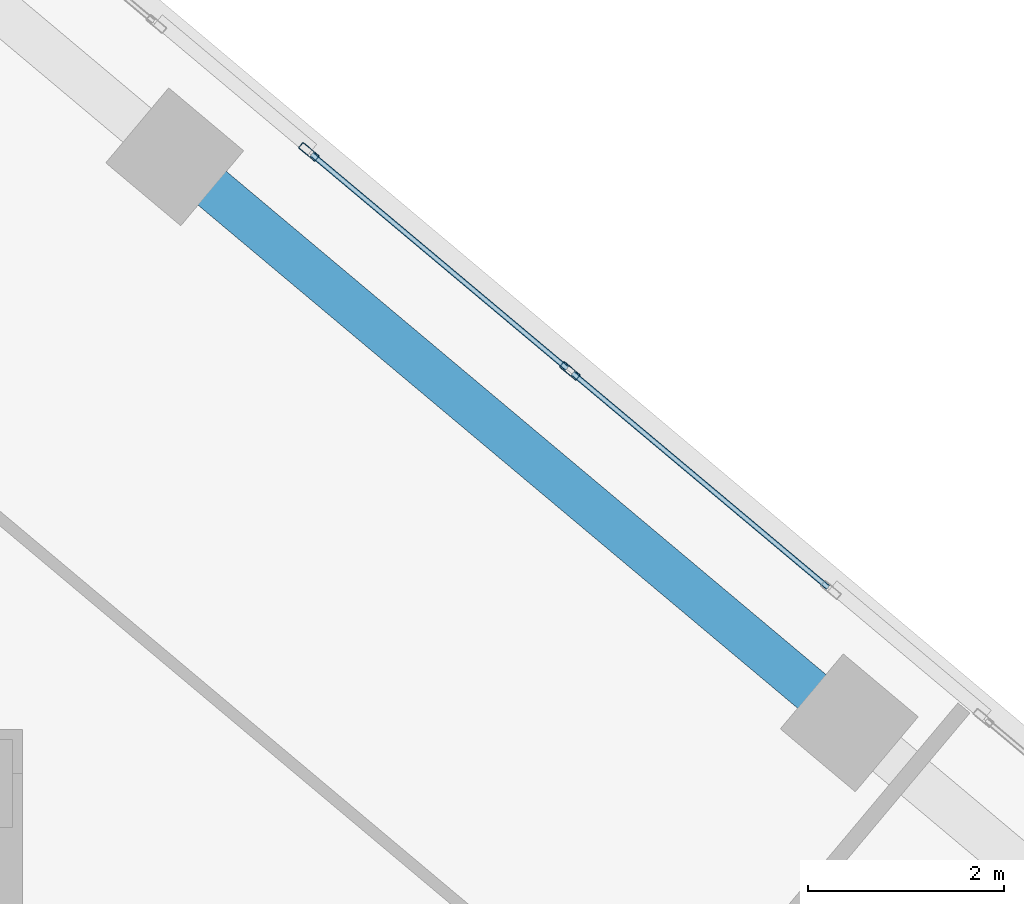
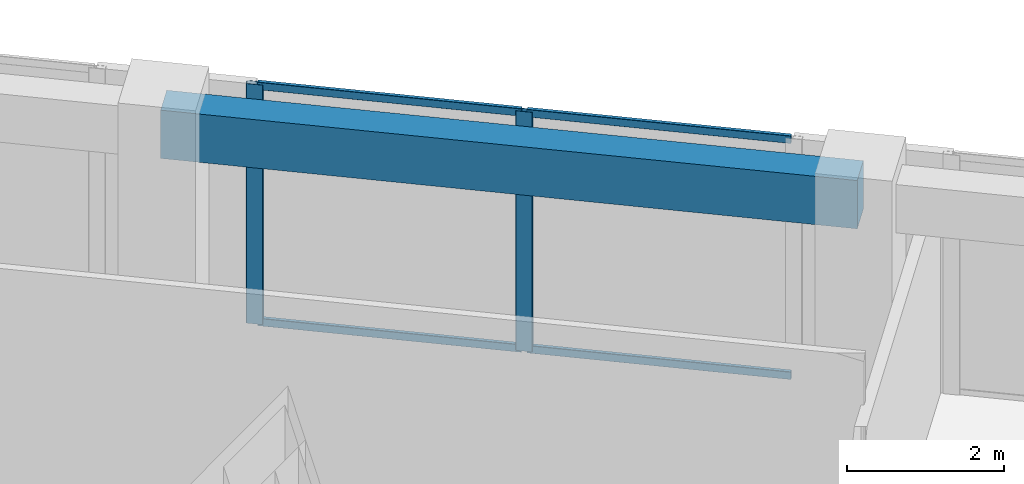
# One storey, part 10 of 17: 6 members, 1 beam, 1 element without a shape of its own.
"""IFC4 building model written with IfcOpenShell, lengths in metres."""

from ifc_helpers import new_model, si_unit, direction, frame, origin, origin_2d, place, context, subcontext, project, spatial, rectangle, hollow_rectangle, extrude, source, transform, mapped, material, material_profile, profile_set, type_object, element, aggregate, save


model = new_model("IFC4")

# Units and contexts
model_context = context("Model", 3, precision=1e-05, world=origin(), true_north=direction((0.0, 1.0)))
body_context = subcontext(model_context, "Body", "Model", "MODEL_VIEW")
ifc_project = project(units=[si_unit("LENGTHUNIT", "METRE"), si_unit("AREAUNIT", "SQUARE_METRE"), si_unit("VOLUMEUNIT", "CUBIC_METRE"), si_unit("PLANEANGLEUNIT", "RADIAN"), si_unit("MASSUNIT", "GRAM", prefix="KILO")], contexts=[model_context])

# Site, building, storey
site_placement = place(None, origin())
site = spatial("IfcSite", under=ifc_project, at=site_placement, CompositionType="ELEMENT")
building_placement = place(site_placement, origin())
building = spatial("IfcBuilding", under=site, at=building_placement, Name="Torre Montelarca", CompositionType="ELEMENT")
storey_placement = place(building_placement, frame((0.0, 0.0, 220.60009765625)))
storey = spatial("IfcBuildingStorey", under=building, at=storey_placement, Name="L49", CompositionType="ELEMENT", Elevation=220.60009765625)

# Beam
ifc_material_1 = material(Name="Concrete C55/67", Category="concrete")
ifc_material_profile_1 = material_profile(ifc_material_1, rectangle(XDim=0.449951171875, YDim=0.75, at=origin_2d()), Name="RCB450X750", Category="concrete")
ifc_profile_set_1 = profile_set([ifc_material_profile_1], Name="Concrete C55/67")
beam_type = type_object("IfcBeamType", Name="BM-SP-RC750-EXT", PredefinedType="SPANDREL", material=ifc_profile_set_1)
shared_shape_1 = source(origin(), body_context, "Body", "SweptSolid", [
    extrude(rectangle(XDim=0.449951171875, YDim=0.75, at=origin_2d()), origin(), (0.0, 0.0, 1.0), 8.999755859375),
])
beam_placement = place(storey_placement, frame((28.55712890625, 45.855224609375, 3.5849609375), z_axis=(0.766048911017, -0.642782285015, 0.0), x_axis=(0.642782285015, 0.766048911017, 0.0)))
element("IfcBeam", 1, at=beam_placement, inside=storey, type_object=beam_type, Name="L49 Grid Girder X 18.0-27.0 at Y=47.1", PredefinedType="SPANDREL", context=body_context, shape_type="MappedRepresentation", body=[
    mapped(shared_shape_1, transform((0.0, 0.0, 0.0), scale=1.0)),
])

# Curtain wall, members
ifc_material_2 = material(Name="Insulated low-E laminated glass", Category="glass")
curtain_wall_type = type_object("IfcCurtainWallType", Name="CW-SYS-Z3", PredefinedType="USERDEFINED", material=ifc_material_2)
curtain_wall_placement = place(storey_placement, origin())
curtain_wall = element("IfcCurtainWall", 2, at=curtain_wall_placement, inside=storey, type_object=curtain_wall_type, Name="L49 Curtain Wall Run CW-T3-L49-E08-B2", ObjectType="UNITISED GLAZING", PredefinedType="USERDEFINED")
ifc_material_3 = material(Name="Anodised aluminium AA 6063-T6", Category="aluminium")
ifc_material_profile_2 = material_profile(ifc_material_3, hollow_rectangle(XDim=0.054931640625, YDim=0.1201171875, WallThickness=0.00341796875, InnerFilletRadius=0.00341796875, OuterFilletRadius=0.007080078125, at=origin_2d()), Name="ALU55X120X3.5", Category="aluminium")
ifc_profile_set_2 = profile_set([ifc_material_profile_2], Name="Anodised aluminium AA 6063-T6")
member_type_1 = type_object("IfcMemberType", Name="CWT-ALU120", PredefinedType="USERDEFINED", material=ifc_profile_set_2)
shared_shape_2 = source(origin(), body_context, "Body", "SweptSolid", [
    extrude(hollow_rectangle(XDim=0.054931640625, YDim=0.1201171875, WallThickness=0.00341796875, InnerFilletRadius=0.00341796875, OuterFilletRadius=0.007080078125, at=origin_2d()), origin(), (0.0, 0.0, 1.0), 3.407470703125),
])
member_1_placement = place(storey_placement, frame((35.234619140625, 41.453125, 0.02734375), z_axis=(-0.766067489569, 0.642760142997, 0.0), x_axis=(-0.642760142997, -0.766067489569, 0.0)))
member_1 = element("IfcMember", 3, at=member_1_placement, type_object=member_type_1, Name="CW transom 1.1", ObjectType="TRANSOM", PredefinedType="USERDEFINED", context=body_context, shape_type="MappedRepresentation", body=[
    mapped(shared_shape_2, transform((0.0, 0.0, 0.0), scale=1.0)),
])
member_2_placement = place(storey_placement, frame((35.234619140625, 41.453125, 3.6923828125), z_axis=(-0.766067489569, 0.642760142997, 0.0), x_axis=(-0.642760142997, -0.766067489569, 0.0)))
member_2 = element("IfcMember", 4, at=member_2_placement, type_object=member_type_1, Name="CW transom 1.2", ObjectType="TRANSOM", PredefinedType="USERDEFINED", context=body_context, shape_type="MappedRepresentation", body=[
    mapped(shared_shape_2, transform((0.0, 0.0, 0.0), scale=1.0)),
])
member_3_placement = place(storey_placement, frame((32.56689453125, 43.691650390625, 0.02734375), z_axis=(-0.766067489569, 0.642760142997, 0.0), x_axis=(-0.642760142997, -0.766067489569, 0.0)))
member_3 = element("IfcMember", 5, at=member_3_placement, type_object=member_type_1, Name="CW transom 2.1", ObjectType="TRANSOM", PredefinedType="USERDEFINED", context=body_context, shape_type="MappedRepresentation", body=[
    mapped(shared_shape_2, transform((0.0, 0.0, 0.0), scale=1.0)),
])
member_4_placement = place(storey_placement, frame((32.56689453125, 43.691650390625, 3.6923828125), z_axis=(-0.766067489569, 0.642760142997, 0.0), x_axis=(-0.642760142997, -0.766067489569, 0.0)))
member_4 = element("IfcMember", 6, at=member_4_placement, type_object=member_type_1, Name="CW transom 2.2", ObjectType="TRANSOM", PredefinedType="USERDEFINED", context=body_context, shape_type="MappedRepresentation", body=[
    mapped(shared_shape_2, transform((0.0, 0.0, 0.0), scale=1.0)),
])
ifc_material_profile_3 = material_profile(ifc_material_3, hollow_rectangle(XDim=0.074951171875, YDim=0.219970703125, WallThickness=0.0048828125, InnerFilletRadius=0.0048828125, OuterFilletRadius=0.010009765625, at=origin_2d()), Name="ALU75X220X5", Category="aluminium")
ifc_profile_set_3 = profile_set([ifc_material_profile_3], Name="Anodised aluminium AA 6063-T6")
member_type_2 = type_object("IfcMemberType", Name="CWM-ALU220", PredefinedType="MULLION", material=ifc_profile_set_3)
shared_shape_3 = source(origin(), body_context, "Body", "SweptSolid", [
    extrude(hollow_rectangle(XDim=0.074951171875, YDim=0.219970703125, WallThickness=0.0048828125, InnerFilletRadius=0.0048828125, OuterFilletRadius=0.010009765625, at=origin_2d()), origin(), (0.0, 0.0, 1.0), 3.719970703125),
])
member_5_placement = place(storey_placement, frame((32.595703125, 43.66748046875, 0.0), z_axis=(0.0, 0.0, 1.0), x_axis=(-0.642789243392, -0.766043072274, 0.0)))
member_5 = element("IfcMember", 7, at=member_5_placement, type_object=member_type_2, Name="CW mullion 2", PredefinedType="MULLION", context=body_context, shape_type="MappedRepresentation", body=[
    mapped(shared_shape_3, transform((0.0, 0.0, 0.0), scale=1.0)),
])
member_6_placement = place(storey_placement, frame((29.927978515625, 45.906005859375, 0.0), z_axis=(0.0, 0.0, 1.0), x_axis=(-0.642789243392, -0.766043072274, 0.0)))
member_6 = element("IfcMember", 8, at=member_6_placement, type_object=member_type_2, Name="CW mullion 3", PredefinedType="MULLION", context=body_context, shape_type="MappedRepresentation", body=[
    mapped(shared_shape_3, transform((0.0, 0.0, 0.0), scale=1.0)),
])
aggregate(curtain_wall, [member_5, member_6, member_1, member_2, member_3, member_4])

save(model, "model.ifc")
